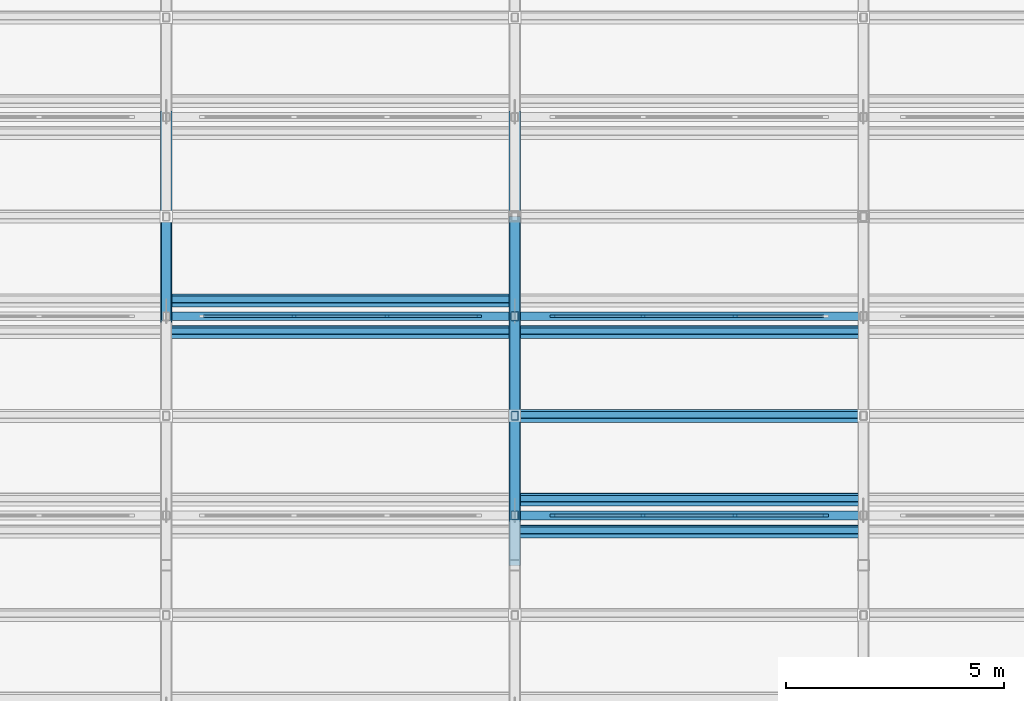
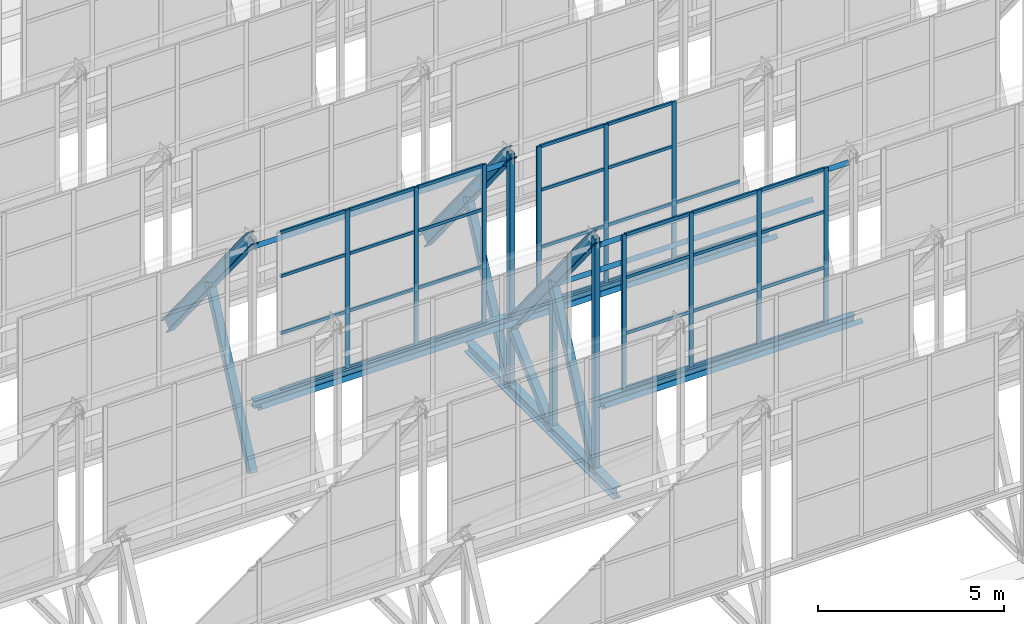
# One storey, part 11 of 34: 60 members, 4 beams, 3 elements without a shape of their own.
"""IFC4 building model written with IfcOpenShell, lengths in metres."""

from ifc_helpers import new_model, si_unit, direction, frame, origin, origin_2d, place, context, subcontext, project, spatial, rectangle, hollow_rectangle, i_section, extrude, material, layer, layer_set, material_profile, profile_set, type_object, element, aggregate, save


model = new_model("IFC4")

# Units and contexts
model_context = context("Model", 3, precision=1e-05, world=origin(), true_north=direction((0.0, 1.0)))
body_context = subcontext(model_context, "Body", "Model", "MODEL_VIEW")
ifc_project = project(units=[si_unit("LENGTHUNIT", "METRE"), si_unit("AREAUNIT", "SQUARE_METRE"), si_unit("VOLUMEUNIT", "CUBIC_METRE"), si_unit("PLANEANGLEUNIT", "RADIAN"), si_unit("MASSUNIT", "GRAM", prefix="KILO")], contexts=[model_context])

# Site, building, storey
site_placement = place(None, origin())
site = spatial("IfcSite", under=ifc_project, at=site_placement, CompositionType="ELEMENT")
building_placement = place(site_placement, origin())
building = spatial("IfcBuilding", under=site, at=building_placement, Name="Qorikala Patio Media Centre", CompositionType="ELEMENT")
storey_placement = place(building_placement, frame((0.0, 0.0, 32.699951171875)))
storey = spatial("IfcBuildingStorey", under=building, at=storey_placement, Name="RF", CompositionType="ELEMENT", Elevation=32.699951171875)

# Members
ifc_material_1 = material(Name="Steel S355", Category="steel")
ifc_material_profile_1 = material_profile(ifc_material_1, hollow_rectangle(XDim=0.219970703125, YDim=0.219970703125, WallThickness=0.010009765625, at=origin_2d()), Name="HSS220X220X10")
ifc_profile_set_1 = profile_set([ifc_material_profile_1], Name="Steel S355")
member_type_1 = type_object("IfcMemberType", Name="BRACE-HSS220", PredefinedType="BRACE", material=ifc_profile_set_1)
for number, where, z_axis, x_axis, name in (
    (1, (19.0, 16.71435546875, 0.35009765625), (0.0, 0.424508225487, 0.905424081022), (-1.0, 0.0, 0.0), "SAW-V1 Truss 3 Bay 4 Web Diagonal 1"),
    (2, (27.0, 12.142822265625, 0.35009765625), (0.0, 0.424545396895, 0.90540665227), (-1.0, 0.0, 0.0), "SAW-V1 Truss 4 Bay 3 Web Diagonal 1"),
):
    element("IfcMember", number, at=place(storey_placement, frame(where, z_axis=z_axis, x_axis=x_axis)), inside=storey, type_object=member_type_1, Name=name, PredefinedType="BRACE", context=body_context, shape_type="SweptSolid", body=[
        extrude(hollow_rectangle(XDim=0.219970703125, YDim=0.219970703125, WallThickness=0.010009765625, at=origin_2d()), origin(), (0.0, 0.0, 1.0), 5.38427734375),
    ])
member_1_placement = place(storey_placement, frame((27.0, 14.4287109375, 0.35009765625), z_axis=(0.0, 0.744431778243, 0.667698530432), x_axis=(-1.0, 0.0, 0.0)))
element("IfcMember", 3, at=member_1_placement, inside=storey, type_object=member_type_1, Name="SAW-V1 Truss 4 Bay 3 Web Diagonal 2", PredefinedType="BRACE", context=body_context, shape_type="SweptSolid", body=[
    extrude(hollow_rectangle(XDim=0.219970703125, YDim=0.219970703125, WallThickness=0.010009765625, at=origin_2d()), origin(), (0.0, 0.0, 1.0), 3.0703125),
])
member_2_placement = place(storey_placement, frame((27.0, 16.71435546875, 0.35009765625), z_axis=(0.0, 0.424508225487, 0.905424081022), x_axis=(-1.0, 0.0, 0.0)))
element("IfcMember", 4, at=member_2_placement, inside=storey, type_object=member_type_1, Name="SAW-V1 Truss 4 Bay 4 Web Diagonal 1", PredefinedType="BRACE", context=body_context, shape_type="SweptSolid", body=[
    extrude(hollow_rectangle(XDim=0.219970703125, YDim=0.219970703125, WallThickness=0.010009765625, at=origin_2d()), origin(), (0.0, 0.0, 1.0), 5.38427734375),
])
ifc_material_profile_2 = material_profile(ifc_material_1, i_section(OverallWidth=0.257080078125, OverallDepth=0.363037109375, WebThickness=0.012939453125, FlangeThickness=0.021728515625, at=origin_2d()), Name="W360X122")
ifc_profile_set_2 = profile_set([ifc_material_profile_2], Name="Steel S355")
member_type_2 = type_object("IfcMemberType", Name="CHORD-W360X122", PredefinedType="CHORD", material=ifc_profile_set_2)
member_3_placement = place(storey_placement, frame((19.0, 16.71435546875, 8.050048828125), z_axis=(0.0, 0.628995268707, -0.777409127773), x_axis=(-1.0, 0.0, 0.0)))
element("IfcMember", 5, at=member_3_placement, inside=storey, type_object=member_type_2, Name="SAW-V1 Truss 3 Bay 4 Sloped Top Chord", PredefinedType="CHORD", context=body_context, shape_type="SweptSolid", body=[
    extrude(i_section(OverallWidth=0.257080078125, OverallDepth=0.363037109375, WebThickness=0.012939453125, FlangeThickness=0.021728515625, at=origin_2d()), origin(), (0.0, 0.0, 1.0), 7.267578125),
])
member_4_placement = place(storey_placement, frame((27.0, 12.142822265625, 8.050048828125), z_axis=(0.0, 0.629015570493, -0.777392701327), x_axis=(-1.0, 0.0, 0.0)))
element("IfcMember", 6, at=member_4_placement, inside=storey, type_object=member_type_2, Name="SAW-V1 Truss 4 Bay 3 Sloped Top Chord", PredefinedType="CHORD", context=body_context, shape_type="SweptSolid", body=[
    extrude(i_section(OverallWidth=0.257080078125, OverallDepth=0.363037109375, WebThickness=0.012939453125, FlangeThickness=0.021728515625, at=origin_2d()), origin(), (0.0, 0.0, 1.0), 7.267822265625),
])
member_5_placement = place(storey_placement, frame((27.0, 16.71435546875, 8.050048828125), z_axis=(0.0, 0.628995268707, -0.777409127773), x_axis=(-1.0, 0.0, 0.0)))
element("IfcMember", 7, at=member_5_placement, inside=storey, type_object=member_type_2, Name="SAW-V1 Truss 4 Bay 4 Sloped Top Chord", PredefinedType="CHORD", context=body_context, shape_type="SweptSolid", body=[
    extrude(i_section(OverallWidth=0.257080078125, OverallDepth=0.363037109375, WebThickness=0.012939453125, FlangeThickness=0.021728515625, at=origin_2d()), origin(), (0.0, 0.0, 1.0), 7.267578125),
])

# Curtain wall, members
ifc_material_2 = material(Name="Bronze Anodised Aluminium and Low-E Glass", Category="aluminium")
ifc_layer_1 = layer(ifc_material_2, 0.159912109375)
ifc_layer_set_1 = layer_set([ifc_layer_1], Name="Bronze Anodised Aluminium and Low-E Glass")
curtain_wall_type_1 = type_object("IfcCurtainWallType", Name="CW-SAW-632X508", PredefinedType="USERDEFINED", material=ifc_layer_set_1)
curtain_wall_1_placement = place(storey_placement, origin())
curtain_wall_1 = element("IfcCurtainWall", 8, at=curtain_wall_1_placement, inside=storey, type_object=curtain_wall_type_1, Name="RF Sawtooth Glazing 120", ObjectType="SAWTOOTH GLAZING", PredefinedType="USERDEFINED")
ifc_material_3 = material(Name="Bronze Anodised Aluminium", Category="aluminium")
ifc_material_profile_3 = material_profile(ifc_material_3, rectangle(XDim=0.06005859375, YDim=0.1298828125, at=origin_2d()), Name="ALU MULLION 60x130")
ifc_profile_set_3 = profile_set([ifc_material_profile_3], Name="Bronze Anodised Aluminium")
member_type_3 = type_object("IfcMemberType", Name="CWM-60X130", PredefinedType="MULLION", material=ifc_profile_set_3)
member_6_placement = place(storey_placement, frame((27.8701171875, 12.142822265625, 2.75), z_axis=(0.0, 0.0, 1.0), x_axis=(0.0, 1.0, 0.0)))
member_6 = element("IfcMember", 9, at=member_6_placement, type_object=member_type_3, Name="CWS632508 mullion 1", PredefinedType="MULLION", context=body_context, shape_type="SweptSolid", body=[
    extrude(rectangle(XDim=0.06005859375, YDim=0.1298828125, at=origin_2d()), origin(), (0.0, 0.0, 1.0), 5.080078125),
])
member_7_placement = place(storey_placement, frame((29.94677734375, 12.142822265625, 2.75), z_axis=(0.0, 0.0, 1.0), x_axis=(0.0, 1.0, 0.0)))
member_7 = element("IfcMember", 10, at=member_7_placement, type_object=member_type_3, Name="CWS632508 mullion 2", PredefinedType="MULLION", context=body_context, shape_type="SweptSolid", body=[
    extrude(rectangle(XDim=0.06005859375, YDim=0.1298828125, at=origin_2d()), origin(), (0.0, 0.0, 1.0), 5.080078125),
])
member_8_placement = place(storey_placement, frame((32.05322265625, 12.142822265625, 2.75), z_axis=(0.0, 0.0, 1.0), x_axis=(0.0, 1.0, 0.0)))
member_8 = element("IfcMember", 11, at=member_8_placement, type_object=member_type_3, Name="CWS632508 mullion 3", PredefinedType="MULLION", context=body_context, shape_type="SweptSolid", body=[
    extrude(rectangle(XDim=0.06005859375, YDim=0.1298828125, at=origin_2d()), origin(), (0.0, 0.0, 1.0), 5.080078125),
])
member_9_placement = place(storey_placement, frame((34.1298828125, 12.142822265625, 2.75), z_axis=(0.0, 0.0, 1.0), x_axis=(0.0, 1.0, 0.0)))
member_9 = element("IfcMember", 12, at=member_9_placement, type_object=member_type_3, Name="CWS632508 mullion 4", PredefinedType="MULLION", context=body_context, shape_type="SweptSolid", body=[
    extrude(rectangle(XDim=0.06005859375, YDim=0.1298828125, at=origin_2d()), origin(), (0.0, 0.0, 1.0), 5.080078125),
])

ifc_layer_2 = layer(ifc_material_2, 0.159912109375)
ifc_layer_set_2 = layer_set([ifc_layer_2], Name="Bronze Anodised Aluminium and Low-E Glass")
curtain_wall_type_2 = type_object("IfcCurtainWallType", Name="CW-SAW-640X520", PredefinedType="USERDEFINED", material=ifc_layer_set_2)
curtain_wall_2_placement = place(storey_placement, origin())
curtain_wall_2 = element("IfcCurtainWall", 13, at=curtain_wall_2_placement, inside=storey, type_object=curtain_wall_type_2, Name="RF Sawtooth Glazing 124", ObjectType="SAWTOOTH GLAZING", PredefinedType="USERDEFINED")
member_10_placement = place(storey_placement, frame((21.933349609375, 16.71435546875, 2.75), z_axis=(0.0, 0.0, 1.0), x_axis=(0.0, 1.0, 0.0)))
member_10 = element("IfcMember", 14, at=member_10_placement, type_object=member_type_3, Name="CWS640520 mullion 2", PredefinedType="MULLION", context=body_context, shape_type="SweptSolid", body=[
    extrude(rectangle(XDim=0.06005859375, YDim=0.1298828125, at=origin_2d()), origin(), (0.0, 0.0, 1.0), 5.199951171875),
])
member_11_placement = place(storey_placement, frame((24.066650390625, 16.71435546875, 2.75), z_axis=(0.0, 0.0, 1.0), x_axis=(0.0, 1.0, 0.0)))
member_11 = element("IfcMember", 15, at=member_11_placement, type_object=member_type_3, Name="CWS640520 mullion 3", PredefinedType="MULLION", context=body_context, shape_type="SweptSolid", body=[
    extrude(rectangle(XDim=0.06005859375, YDim=0.1298828125, at=origin_2d()), origin(), (0.0, 0.0, 1.0), 5.199951171875),
])
member_12_placement = place(storey_placement, frame((26.169921875, 16.71435546875, 2.75), z_axis=(0.0, 0.0, 1.0), x_axis=(0.0, 1.0, 0.0)))
member_12 = element("IfcMember", 16, at=member_12_placement, type_object=member_type_3, Name="CWS640520 mullion 4", PredefinedType="MULLION", context=body_context, shape_type="SweptSolid", body=[
    extrude(rectangle(XDim=0.06005859375, YDim=0.1298828125, at=origin_2d()), origin(), (0.0, 0.0, 1.0), 5.199951171875),
])

ifc_layer_3 = layer(ifc_material_2, 0.159912109375)
ifc_layer_set_3 = layer_set([ifc_layer_3], Name="Bronze Anodised Aluminium and Low-E Glass")
curtain_wall_type_3 = type_object("IfcCurtainWallType", Name="CW-SAW-632X520", PredefinedType="USERDEFINED", material=ifc_layer_set_3)
curtain_wall_3_placement = place(storey_placement, origin())
curtain_wall_3 = element("IfcCurtainWall", 17, at=curtain_wall_3_placement, inside=storey, type_object=curtain_wall_type_3, Name="RF Sawtooth Glazing 125", ObjectType="SAWTOOTH GLAZING", PredefinedType="USERDEFINED")
member_13_placement = place(storey_placement, frame((27.8701171875, 16.71435546875, 2.75), z_axis=(0.0, 0.0, 1.0), x_axis=(0.0, 1.0, 0.0)))
member_13 = element("IfcMember", 18, at=member_13_placement, type_object=member_type_3, Name="CWS632520 mullion 1", PredefinedType="MULLION", context=body_context, shape_type="SweptSolid", body=[
    extrude(rectangle(XDim=0.06005859375, YDim=0.1298828125, at=origin_2d()), origin(), (0.0, 0.0, 1.0), 5.199951171875),
])
member_14_placement = place(storey_placement, frame((29.94677734375, 16.71435546875, 2.75), z_axis=(0.0, 0.0, 1.0), x_axis=(0.0, 1.0, 0.0)))
member_14 = element("IfcMember", 19, at=member_14_placement, type_object=member_type_3, Name="CWS632520 mullion 2", PredefinedType="MULLION", context=body_context, shape_type="SweptSolid", body=[
    extrude(rectangle(XDim=0.06005859375, YDim=0.1298828125, at=origin_2d()), origin(), (0.0, 0.0, 1.0), 5.199951171875),
])
member_15_placement = place(storey_placement, frame((32.05322265625, 16.71435546875, 2.75), z_axis=(0.0, 0.0, 1.0), x_axis=(0.0, 1.0, 0.0)))
member_15 = element("IfcMember", 20, at=member_15_placement, type_object=member_type_3, Name="CWS632520 mullion 3", PredefinedType="MULLION", context=body_context, shape_type="SweptSolid", body=[
    extrude(rectangle(XDim=0.06005859375, YDim=0.1298828125, at=origin_2d()), origin(), (0.0, 0.0, 1.0), 5.199951171875),
])

# Member
ifc_material_profile_4 = material_profile(ifc_material_3, rectangle(XDim=0.06005859375, YDim=0.10009765625, at=origin_2d()), Name="ALU TRANSOM 60x100")
ifc_profile_set_4 = profile_set([ifc_material_profile_4], Name="Bronze Anodised Aluminium")
member_type_4 = type_object("IfcMemberType", Name="CWT-60X100", PredefinedType="USERDEFINED", material=ifc_profile_set_4)
member_16_placement = place(storey_placement, frame((27.89990234375, 12.142822265625, 2.780029296875), z_axis=(1.0, 0.0, 0.0), x_axis=(0.0, 1.0, 0.0)))
member_16 = element("IfcMember", 21, at=member_16_placement, type_object=member_type_4, Name="CWS632508 transom 1.1", ObjectType="TRANSOM", PredefinedType="USERDEFINED", context=body_context, shape_type="SweptSolid", body=[
    extrude(rectangle(XDim=0.06005859375, YDim=0.10009765625, at=origin_2d()), origin(), (0.0, 0.0, 1.0), 2.016845703125),
])

member_17_placement = place(storey_placement, frame((27.89990234375, 12.142822265625, 4.578857421875), z_axis=(1.0, 0.0, 0.0), x_axis=(0.0, 1.0, 0.0)))
member_17 = element("IfcMember", 22, at=member_17_placement, type_object=member_type_4, Name="CWS632508 transom 1.2", ObjectType="TRANSOM", PredefinedType="USERDEFINED", context=body_context, shape_type="SweptSolid", body=[
    extrude(rectangle(XDim=0.06005859375, YDim=0.10009765625, at=origin_2d()), origin(), (0.0, 0.0, 1.0), 2.016845703125),
])

member_18_placement = place(storey_placement, frame((27.89990234375, 12.142822265625, 6.40771484375), z_axis=(1.0, 0.0, 0.0), x_axis=(0.0, 1.0, 0.0)))
member_18 = element("IfcMember", 23, at=member_18_placement, type_object=member_type_4, Name="CWS632508 transom 1.3", ObjectType="TRANSOM", PredefinedType="USERDEFINED", context=body_context, shape_type="SweptSolid", body=[
    extrude(rectangle(XDim=0.06005859375, YDim=0.10009765625, at=origin_2d()), origin(), (0.0, 0.0, 1.0), 2.016845703125),
])

member_19_placement = place(storey_placement, frame((27.89990234375, 12.142822265625, 7.800048828125), z_axis=(1.0, 0.0, 0.0), x_axis=(0.0, 1.0, 0.0)))
member_19 = element("IfcMember", 24, at=member_19_placement, type_object=member_type_4, Name="CWS632508 transom 1.4", ObjectType="TRANSOM", PredefinedType="USERDEFINED", context=body_context, shape_type="SweptSolid", body=[
    extrude(rectangle(XDim=0.06005859375, YDim=0.10009765625, at=origin_2d()), origin(), (0.0, 0.0, 1.0), 2.016845703125),
])

member_20_placement = place(storey_placement, frame((29.9765625, 12.142822265625, 2.780029296875), z_axis=(1.0, 0.0, 0.0), x_axis=(0.0, 1.0, 0.0)))
member_20 = element("IfcMember", 25, at=member_20_placement, type_object=member_type_4, Name="CWS632508 transom 2.1", ObjectType="TRANSOM", PredefinedType="USERDEFINED", context=body_context, shape_type="SweptSolid", body=[
    extrude(rectangle(XDim=0.06005859375, YDim=0.10009765625, at=origin_2d()), origin(), (0.0, 0.0, 1.0), 2.046875),
])

member_21_placement = place(storey_placement, frame((29.9765625, 12.142822265625, 4.578857421875), z_axis=(1.0, 0.0, 0.0), x_axis=(0.0, 1.0, 0.0)))
member_21 = element("IfcMember", 26, at=member_21_placement, type_object=member_type_4, Name="CWS632508 transom 2.2", ObjectType="TRANSOM", PredefinedType="USERDEFINED", context=body_context, shape_type="SweptSolid", body=[
    extrude(rectangle(XDim=0.06005859375, YDim=0.10009765625, at=origin_2d()), origin(), (0.0, 0.0, 1.0), 2.046875),
])

member_22_placement = place(storey_placement, frame((29.9765625, 12.142822265625, 6.40771484375), z_axis=(1.0, 0.0, 0.0), x_axis=(0.0, 1.0, 0.0)))
member_22 = element("IfcMember", 27, at=member_22_placement, type_object=member_type_4, Name="CWS632508 transom 2.3", ObjectType="TRANSOM", PredefinedType="USERDEFINED", context=body_context, shape_type="SweptSolid", body=[
    extrude(rectangle(XDim=0.06005859375, YDim=0.10009765625, at=origin_2d()), origin(), (0.0, 0.0, 1.0), 2.046875),
])

member_23_placement = place(storey_placement, frame((29.9765625, 12.142822265625, 7.800048828125), z_axis=(1.0, 0.0, 0.0), x_axis=(0.0, 1.0, 0.0)))
member_23 = element("IfcMember", 28, at=member_23_placement, type_object=member_type_4, Name="CWS632508 transom 2.4", ObjectType="TRANSOM", PredefinedType="USERDEFINED", context=body_context, shape_type="SweptSolid", body=[
    extrude(rectangle(XDim=0.06005859375, YDim=0.10009765625, at=origin_2d()), origin(), (0.0, 0.0, 1.0), 2.046875),
])

member_24_placement = place(storey_placement, frame((32.083251953125, 12.142822265625, 2.780029296875), z_axis=(1.0, 0.0, 0.0), x_axis=(0.0, 1.0, 0.0)))
member_24 = element("IfcMember", 29, at=member_24_placement, type_object=member_type_4, Name="CWS632508 transom 3.1", ObjectType="TRANSOM", PredefinedType="USERDEFINED", context=body_context, shape_type="SweptSolid", body=[
    extrude(rectangle(XDim=0.06005859375, YDim=0.10009765625, at=origin_2d()), origin(), (0.0, 0.0, 1.0), 2.016845703125),
])

member_25_placement = place(storey_placement, frame((32.083251953125, 12.142822265625, 4.578857421875), z_axis=(1.0, 0.0, 0.0), x_axis=(0.0, 1.0, 0.0)))
member_25 = element("IfcMember", 30, at=member_25_placement, type_object=member_type_4, Name="CWS632508 transom 3.2", ObjectType="TRANSOM", PredefinedType="USERDEFINED", context=body_context, shape_type="SweptSolid", body=[
    extrude(rectangle(XDim=0.06005859375, YDim=0.10009765625, at=origin_2d()), origin(), (0.0, 0.0, 1.0), 2.016845703125),
])

member_26_placement = place(storey_placement, frame((32.083251953125, 12.142822265625, 6.40771484375), z_axis=(1.0, 0.0, 0.0), x_axis=(0.0, 1.0, 0.0)))
member_26 = element("IfcMember", 31, at=member_26_placement, type_object=member_type_4, Name="CWS632508 transom 3.3", ObjectType="TRANSOM", PredefinedType="USERDEFINED", context=body_context, shape_type="SweptSolid", body=[
    extrude(rectangle(XDim=0.06005859375, YDim=0.10009765625, at=origin_2d()), origin(), (0.0, 0.0, 1.0), 2.016845703125),
])

member_27_placement = place(storey_placement, frame((32.083251953125, 12.142822265625, 7.800048828125), z_axis=(1.0, 0.0, 0.0), x_axis=(0.0, 1.0, 0.0)))
member_27 = element("IfcMember", 32, at=member_27_placement, type_object=member_type_4, Name="CWS632508 transom 3.4", ObjectType="TRANSOM", PredefinedType="USERDEFINED", context=body_context, shape_type="SweptSolid", body=[
    extrude(rectangle(XDim=0.06005859375, YDim=0.10009765625, at=origin_2d()), origin(), (0.0, 0.0, 1.0), 2.016845703125),
])

aggregate(curtain_wall_1, [member_6, member_7, member_8, member_9, member_16, member_17, member_18, member_19, member_20, member_21, member_22, member_23, member_24, member_25, member_26, member_27])

member_28_placement = place(storey_placement, frame((19.860107421875, 16.71435546875, 2.780029296875), z_axis=(1.0, 0.0, 0.0), x_axis=(0.0, 1.0, 0.0)))
member_28 = element("IfcMember", 33, at=member_28_placement, type_object=member_type_4, Name="CWS640520 transom 1.1", ObjectType="TRANSOM", PredefinedType="USERDEFINED", context=body_context, shape_type="SweptSolid", body=[
    extrude(rectangle(XDim=0.06005859375, YDim=0.10009765625, at=origin_2d()), origin(), (0.0, 0.0, 1.0), 2.043212890625),
])

member_29_placement = place(storey_placement, frame((19.860107421875, 16.71435546875, 4.6220703125), z_axis=(1.0, 0.0, 0.0), x_axis=(0.0, 1.0, 0.0)))
member_29 = element("IfcMember", 34, at=member_29_placement, type_object=member_type_4, Name="CWS640520 transom 1.2", ObjectType="TRANSOM", PredefinedType="USERDEFINED", context=body_context, shape_type="SweptSolid", body=[
    extrude(rectangle(XDim=0.06005859375, YDim=0.10009765625, at=origin_2d()), origin(), (0.0, 0.0, 1.0), 2.043212890625),
])

member_30_placement = place(storey_placement, frame((19.860107421875, 16.71435546875, 6.494140625), z_axis=(1.0, 0.0, 0.0), x_axis=(0.0, 1.0, 0.0)))
member_30 = element("IfcMember", 35, at=member_30_placement, type_object=member_type_4, Name="CWS640520 transom 1.3", ObjectType="TRANSOM", PredefinedType="USERDEFINED", context=body_context, shape_type="SweptSolid", body=[
    extrude(rectangle(XDim=0.06005859375, YDim=0.10009765625, at=origin_2d()), origin(), (0.0, 0.0, 1.0), 2.043212890625),
])

member_31_placement = place(storey_placement, frame((19.860107421875, 16.71435546875, 7.920166015625), z_axis=(1.0, 0.0, 0.0), x_axis=(0.0, 1.0, 0.0)))
member_31 = element("IfcMember", 36, at=member_31_placement, type_object=member_type_4, Name="CWS640520 transom 1.4", ObjectType="TRANSOM", PredefinedType="USERDEFINED", context=body_context, shape_type="SweptSolid", body=[
    extrude(rectangle(XDim=0.06005859375, YDim=0.10009765625, at=origin_2d()), origin(), (0.0, 0.0, 1.0), 2.043212890625),
])

member_32_placement = place(storey_placement, frame((21.96337890625, 16.71435546875, 2.780029296875), z_axis=(1.0, 0.0, 0.0), x_axis=(0.0, 1.0, 0.0)))
member_32 = element("IfcMember", 37, at=member_32_placement, type_object=member_type_4, Name="CWS640520 transom 2.1", ObjectType="TRANSOM", PredefinedType="USERDEFINED", context=body_context, shape_type="SweptSolid", body=[
    extrude(rectangle(XDim=0.06005859375, YDim=0.10009765625, at=origin_2d()), origin(), (0.0, 0.0, 1.0), 2.0732421875),
])

member_33_placement = place(storey_placement, frame((21.96337890625, 16.71435546875, 4.6220703125), z_axis=(1.0, 0.0, 0.0), x_axis=(0.0, 1.0, 0.0)))
member_33 = element("IfcMember", 38, at=member_33_placement, type_object=member_type_4, Name="CWS640520 transom 2.2", ObjectType="TRANSOM", PredefinedType="USERDEFINED", context=body_context, shape_type="SweptSolid", body=[
    extrude(rectangle(XDim=0.06005859375, YDim=0.10009765625, at=origin_2d()), origin(), (0.0, 0.0, 1.0), 2.0732421875),
])

member_34_placement = place(storey_placement, frame((21.96337890625, 16.71435546875, 6.494140625), z_axis=(1.0, 0.0, 0.0), x_axis=(0.0, 1.0, 0.0)))
member_34 = element("IfcMember", 39, at=member_34_placement, type_object=member_type_4, Name="CWS640520 transom 2.3", ObjectType="TRANSOM", PredefinedType="USERDEFINED", context=body_context, shape_type="SweptSolid", body=[
    extrude(rectangle(XDim=0.06005859375, YDim=0.10009765625, at=origin_2d()), origin(), (0.0, 0.0, 1.0), 2.0732421875),
])

member_35_placement = place(storey_placement, frame((21.96337890625, 16.71435546875, 7.920166015625), z_axis=(1.0, 0.0, 0.0), x_axis=(0.0, 1.0, 0.0)))
member_35 = element("IfcMember", 40, at=member_35_placement, type_object=member_type_4, Name="CWS640520 transom 2.4", ObjectType="TRANSOM", PredefinedType="USERDEFINED", context=body_context, shape_type="SweptSolid", body=[
    extrude(rectangle(XDim=0.06005859375, YDim=0.10009765625, at=origin_2d()), origin(), (0.0, 0.0, 1.0), 2.0732421875),
])

member_36_placement = place(storey_placement, frame((24.0966796875, 16.71435546875, 2.780029296875), z_axis=(1.0, 0.0, 0.0), x_axis=(0.0, 1.0, 0.0)))
member_36 = element("IfcMember", 41, at=member_36_placement, type_object=member_type_4, Name="CWS640520 transom 3.1", ObjectType="TRANSOM", PredefinedType="USERDEFINED", context=body_context, shape_type="SweptSolid", body=[
    extrude(rectangle(XDim=0.06005859375, YDim=0.10009765625, at=origin_2d()), origin(), (0.0, 0.0, 1.0), 2.043212890625),
])

member_37_placement = place(storey_placement, frame((24.0966796875, 16.71435546875, 4.6220703125), z_axis=(1.0, 0.0, 0.0), x_axis=(0.0, 1.0, 0.0)))
member_37 = element("IfcMember", 42, at=member_37_placement, type_object=member_type_4, Name="CWS640520 transom 3.2", ObjectType="TRANSOM", PredefinedType="USERDEFINED", context=body_context, shape_type="SweptSolid", body=[
    extrude(rectangle(XDim=0.06005859375, YDim=0.10009765625, at=origin_2d()), origin(), (0.0, 0.0, 1.0), 2.043212890625),
])

member_38_placement = place(storey_placement, frame((24.0966796875, 16.71435546875, 6.494140625), z_axis=(1.0, 0.0, 0.0), x_axis=(0.0, 1.0, 0.0)))
member_38 = element("IfcMember", 43, at=member_38_placement, type_object=member_type_4, Name="CWS640520 transom 3.3", ObjectType="TRANSOM", PredefinedType="USERDEFINED", context=body_context, shape_type="SweptSolid", body=[
    extrude(rectangle(XDim=0.06005859375, YDim=0.10009765625, at=origin_2d()), origin(), (0.0, 0.0, 1.0), 2.043212890625),
])

member_39_placement = place(storey_placement, frame((24.0966796875, 16.71435546875, 7.920166015625), z_axis=(1.0, 0.0, 0.0), x_axis=(0.0, 1.0, 0.0)))
member_39 = element("IfcMember", 44, at=member_39_placement, type_object=member_type_4, Name="CWS640520 transom 3.4", ObjectType="TRANSOM", PredefinedType="USERDEFINED", context=body_context, shape_type="SweptSolid", body=[
    extrude(rectangle(XDim=0.06005859375, YDim=0.10009765625, at=origin_2d()), origin(), (0.0, 0.0, 1.0), 2.043212890625),
])

aggregate(curtain_wall_2, [member_10, member_11, member_12, member_28, member_29, member_30, member_31, member_32, member_33, member_34, member_35, member_36, member_37, member_38, member_39])

member_40_placement = place(storey_placement, frame((27.89990234375, 16.71435546875, 2.780029296875), z_axis=(1.0, 0.0, 0.0), x_axis=(0.0, 1.0, 0.0)))
member_40 = element("IfcMember", 45, at=member_40_placement, type_object=member_type_4, Name="CWS632520 transom 1.1", ObjectType="TRANSOM", PredefinedType="USERDEFINED", context=body_context, shape_type="SweptSolid", body=[
    extrude(rectangle(XDim=0.06005859375, YDim=0.10009765625, at=origin_2d()), origin(), (0.0, 0.0, 1.0), 2.016845703125),
])

member_41_placement = place(storey_placement, frame((27.89990234375, 16.71435546875, 4.6220703125), z_axis=(1.0, 0.0, 0.0), x_axis=(0.0, 1.0, 0.0)))
member_41 = element("IfcMember", 46, at=member_41_placement, type_object=member_type_4, Name="CWS632520 transom 1.2", ObjectType="TRANSOM", PredefinedType="USERDEFINED", context=body_context, shape_type="SweptSolid", body=[
    extrude(rectangle(XDim=0.06005859375, YDim=0.10009765625, at=origin_2d()), origin(), (0.0, 0.0, 1.0), 2.016845703125),
])

member_42_placement = place(storey_placement, frame((27.89990234375, 16.71435546875, 6.494140625), z_axis=(1.0, 0.0, 0.0), x_axis=(0.0, 1.0, 0.0)))
member_42 = element("IfcMember", 47, at=member_42_placement, type_object=member_type_4, Name="CWS632520 transom 1.3", ObjectType="TRANSOM", PredefinedType="USERDEFINED", context=body_context, shape_type="SweptSolid", body=[
    extrude(rectangle(XDim=0.06005859375, YDim=0.10009765625, at=origin_2d()), origin(), (0.0, 0.0, 1.0), 2.016845703125),
])

member_43_placement = place(storey_placement, frame((27.89990234375, 16.71435546875, 7.920166015625), z_axis=(1.0, 0.0, 0.0), x_axis=(0.0, 1.0, 0.0)))
member_43 = element("IfcMember", 48, at=member_43_placement, type_object=member_type_4, Name="CWS632520 transom 1.4", ObjectType="TRANSOM", PredefinedType="USERDEFINED", context=body_context, shape_type="SweptSolid", body=[
    extrude(rectangle(XDim=0.06005859375, YDim=0.10009765625, at=origin_2d()), origin(), (0.0, 0.0, 1.0), 2.016845703125),
])

member_44_placement = place(storey_placement, frame((29.9765625, 16.71435546875, 2.780029296875), z_axis=(1.0, 0.0, 0.0), x_axis=(0.0, 1.0, 0.0)))
member_44 = element("IfcMember", 49, at=member_44_placement, type_object=member_type_4, Name="CWS632520 transom 2.1", ObjectType="TRANSOM", PredefinedType="USERDEFINED", context=body_context, shape_type="SweptSolid", body=[
    extrude(rectangle(XDim=0.06005859375, YDim=0.10009765625, at=origin_2d()), origin(), (0.0, 0.0, 1.0), 2.046875),
])

member_45_placement = place(storey_placement, frame((29.9765625, 16.71435546875, 4.6220703125), z_axis=(1.0, 0.0, 0.0), x_axis=(0.0, 1.0, 0.0)))
member_45 = element("IfcMember", 50, at=member_45_placement, type_object=member_type_4, Name="CWS632520 transom 2.2", ObjectType="TRANSOM", PredefinedType="USERDEFINED", context=body_context, shape_type="SweptSolid", body=[
    extrude(rectangle(XDim=0.06005859375, YDim=0.10009765625, at=origin_2d()), origin(), (0.0, 0.0, 1.0), 2.046875),
])

member_46_placement = place(storey_placement, frame((29.9765625, 16.71435546875, 6.494140625), z_axis=(1.0, 0.0, 0.0), x_axis=(0.0, 1.0, 0.0)))
member_46 = element("IfcMember", 51, at=member_46_placement, type_object=member_type_4, Name="CWS632520 transom 2.3", ObjectType="TRANSOM", PredefinedType="USERDEFINED", context=body_context, shape_type="SweptSolid", body=[
    extrude(rectangle(XDim=0.06005859375, YDim=0.10009765625, at=origin_2d()), origin(), (0.0, 0.0, 1.0), 2.046875),
])

member_47_placement = place(storey_placement, frame((29.9765625, 16.71435546875, 7.920166015625), z_axis=(1.0, 0.0, 0.0), x_axis=(0.0, 1.0, 0.0)))
member_47 = element("IfcMember", 52, at=member_47_placement, type_object=member_type_4, Name="CWS632520 transom 2.4", ObjectType="TRANSOM", PredefinedType="USERDEFINED", context=body_context, shape_type="SweptSolid", body=[
    extrude(rectangle(XDim=0.06005859375, YDim=0.10009765625, at=origin_2d()), origin(), (0.0, 0.0, 1.0), 2.046875),
])

member_48_placement = place(storey_placement, frame((32.083251953125, 16.71435546875, 2.780029296875), z_axis=(1.0, 0.0, 0.0), x_axis=(0.0, 1.0, 0.0)))
member_48 = element("IfcMember", 53, at=member_48_placement, type_object=member_type_4, Name="CWS632520 transom 3.1", ObjectType="TRANSOM", PredefinedType="USERDEFINED", context=body_context, shape_type="SweptSolid", body=[
    extrude(rectangle(XDim=0.06005859375, YDim=0.10009765625, at=origin_2d()), origin(), (0.0, 0.0, 1.0), 2.016845703125),
])

member_49_placement = place(storey_placement, frame((32.083251953125, 16.71435546875, 4.6220703125), z_axis=(1.0, 0.0, 0.0), x_axis=(0.0, 1.0, 0.0)))
member_49 = element("IfcMember", 54, at=member_49_placement, type_object=member_type_4, Name="CWS632520 transom 3.2", ObjectType="TRANSOM", PredefinedType="USERDEFINED", context=body_context, shape_type="SweptSolid", body=[
    extrude(rectangle(XDim=0.06005859375, YDim=0.10009765625, at=origin_2d()), origin(), (0.0, 0.0, 1.0), 2.016845703125),
])

aggregate(curtain_wall_3, [member_13, member_14, member_15, member_40, member_41, member_42, member_43, member_44, member_45, member_46, member_47, member_48, member_49])

# Members
ifc_material_profile_5 = material_profile(ifc_material_1, i_section(OverallWidth=0.14794921875, OverallDepth=0.26611328125, WebThickness=0.007568359375, FlangeThickness=0.012939453125, at=origin_2d()), Name="W250X45")
ifc_profile_set_5 = profile_set([ifc_material_profile_5], Name="Steel S355")
member_type_5 = type_object("IfcMemberType", Name="PURLIN-W250X45", PredefinedType="PURLIN", material=ifc_profile_set_5)
for number, where, z_axis, x_axis, name in (
    (55, (27.0, 11.777099609375, 2.704345703125), (1.0, 0.0, 0.0), (0.0, 0.62899480571, 0.777409502379), "SAW-V1 Bay 2 Roof Purlin"),
    (56, (27.0, 12.508544921875, 7.450439453125), (1.0, 0.0, 0.0), (0.0, 0.62899480571, 0.777409502379), "SAW-V1 Bay 3 Roof Purlin"),
    (57, (27.0, 14.4287109375, 5.077392578125), (1.0, 0.0, 0.0), (0.0, 0.62899480571, 0.777409502379), "SAW-V1 Bay 3 Roof Purlin"),
    (58, (19.0, 16.3486328125, 2.704345703125), (1.0, 0.0, 0.0), (0.0, 0.62899480571, 0.777409502379), "SAW-V1 Bay 3 Roof Purlin"),
    (59, (27.0, 16.3486328125, 2.704345703125), (1.0, 0.0, 0.0), (0.0, 0.62899480571, 0.777409502379), "SAW-V1 Bay 3 Roof Purlin"),
    (60, (19.0, 17.080078125, 7.450439453125), (1.0, 0.0, 0.0), (0.0, 0.62899480571, 0.777409502379), "SAW-V1 Bay 4 Roof Purlin"),
):
    element("IfcMember", number, at=place(storey_placement, frame(where, z_axis=z_axis, x_axis=x_axis)), inside=storey, type_object=member_type_5, Name=name, PredefinedType="PURLIN", context=body_context, shape_type="SweptSolid", body=[
        extrude(i_section(OverallWidth=0.14794921875, OverallDepth=0.26611328125, WebThickness=0.007568359375, FlangeThickness=0.012939453125, at=origin_2d()), origin(), (0.0, 0.0, 1.0), 8.0),
    ])

# Beams
ifc_material_profile_6 = material_profile(ifc_material_1, i_section(OverallWidth=0.202880859375, OverallDepth=0.251953125, WebThickness=0.008056640625, FlangeThickness=0.013427734375, at=origin_2d()), Name="W250X58")
ifc_profile_set_6 = profile_set([ifc_material_profile_6], Name="Steel S355")
beam_type_1 = type_object("IfcBeamType", Name="SBM-W250X58", PredefinedType="BEAM", material=ifc_profile_set_6)
for number, where, z_axis, x_axis, name in (
    (61, (27.0, 12.142822265625, 2.625), (1.0, 0.0, 0.0), (0.0, 1.0, 0.0), "Sawtooth V1 Clerestory Sill Beam 3.4"),
    (62, (19.0, 16.71435546875, 2.625), (1.0, 0.0, 0.0), (0.0, 1.0, 0.0), "Sawtooth V1 Clerestory Sill Beam 4.3"),
    (63, (27.0, 16.71435546875, 2.625), (1.0, 0.0, 0.0), (0.0, 1.0, 0.0), "Sawtooth V1 Clerestory Sill Beam 4.4"),
):
    element("IfcBeam", number, at=place(storey_placement, frame(where, z_axis=z_axis, x_axis=x_axis)), inside=storey, type_object=beam_type_1, Name=name, PredefinedType="BEAM", context=body_context, shape_type="SweptSolid", body=[
        extrude(i_section(OverallWidth=0.202880859375, OverallDepth=0.251953125, WebThickness=0.008056640625, FlangeThickness=0.013427734375, at=origin_2d()), origin(), (0.0, 0.0, 1.0), 8.0),
    ])
ifc_material_profile_7 = material_profile(ifc_material_1, i_section(OverallWidth=0.257080078125, OverallDepth=0.363037109375, WebThickness=0.012939453125, FlangeThickness=0.021728515625, at=origin_2d()), Name="W360X122")
ifc_profile_set_7 = profile_set([ifc_material_profile_7], Name="Steel S355")
beam_type_2 = type_object("IfcBeamType", Name="SBM-W360X122", PredefinedType="BEAM", material=ifc_profile_set_7)
beam_placement = place(storey_placement, frame((27.0, 11.0, 0.35009765625), z_axis=(0.0, 1.0, 0.0), x_axis=(-1.0, 0.0, 0.0)))
element("IfcBeam", 64, at=beam_placement, inside=storey, type_object=beam_type_2, Name="SAW-V1 Longitudinal Truss Tie Girder X=27", PredefinedType="BEAM", context=body_context, shape_type="SweptSolid", body=[
    extrude(i_section(OverallWidth=0.257080078125, OverallDepth=0.363037109375, WebThickness=0.012939453125, FlangeThickness=0.021728515625, at=origin_2d()), origin(), (0.0, 0.0, 1.0), 8.0),
])

# Members
ifc_material_profile_8 = material_profile(ifc_material_1, hollow_rectangle(XDim=0.14990234375, YDim=0.199951171875, WallThickness=0.008056640625, at=origin_2d()), Name="HSS200X150X8")
ifc_profile_set_8 = profile_set([ifc_material_profile_8], Name="Steel S355")
member_type_6 = type_object("IfcMemberType", Name="STRUT-HSS200", PredefinedType="STRUT", material=ifc_profile_set_8)
member_50_placement = place(storey_placement, frame((27.0, 12.142822265625, 0.35009765625), z_axis=(0.0, 0.0, 1.0), x_axis=(1.0, 0.0, 0.0)))
element("IfcMember", 65, at=member_50_placement, inside=storey, type_object=member_type_6, Name="SAW-V1 Truss 4 Bay 3 Clerestory Post", PredefinedType="STRUT", context=body_context, shape_type="SweptSolid", body=[
    extrude(hollow_rectangle(XDim=0.14990234375, YDim=0.199951171875, WallThickness=0.008056640625, at=origin_2d()), origin(), (0.0, 0.0, 1.0), 7.699951171875),
])
member_51_placement = place(storey_placement, frame((27.0, 14.4287109375, 0.35009765625), z_axis=(0.0, 0.0, 1.0), x_axis=(1.0, 0.0, 0.0)))
element("IfcMember", 66, at=member_51_placement, inside=storey, type_object=member_type_6, Name="SAW-V1 Truss 4 Bay 3 Mid Strut", PredefinedType="STRUT", context=body_context, shape_type="SweptSolid", body=[
    extrude(hollow_rectangle(XDim=0.14990234375, YDim=0.199951171875, WallThickness=0.008056640625, at=origin_2d()), origin(), (0.0, 0.0, 1.0), 4.875),
])
member_52_placement = place(storey_placement, frame((27.0, 16.71435546875, 0.35009765625), z_axis=(0.0, 0.0, 1.0), x_axis=(1.0, 0.0, 0.0)))
element("IfcMember", 67, at=member_52_placement, inside=storey, type_object=member_type_6, Name="SAW-V1 Truss 4 Bay 4 Clerestory Post", PredefinedType="STRUT", context=body_context, shape_type="SweptSolid", body=[
    extrude(hollow_rectangle(XDim=0.14990234375, YDim=0.199951171875, WallThickness=0.008056640625, at=origin_2d()), origin(), (0.0, 0.0, 1.0), 7.699951171875),
])

save(model, "model.ifc")
